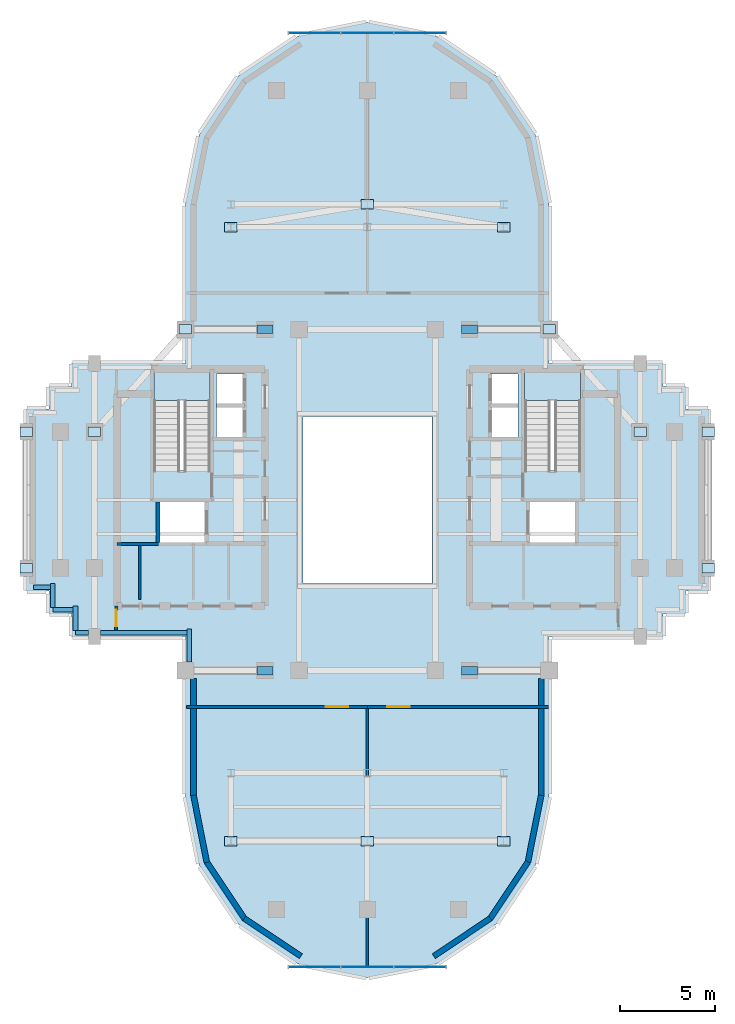
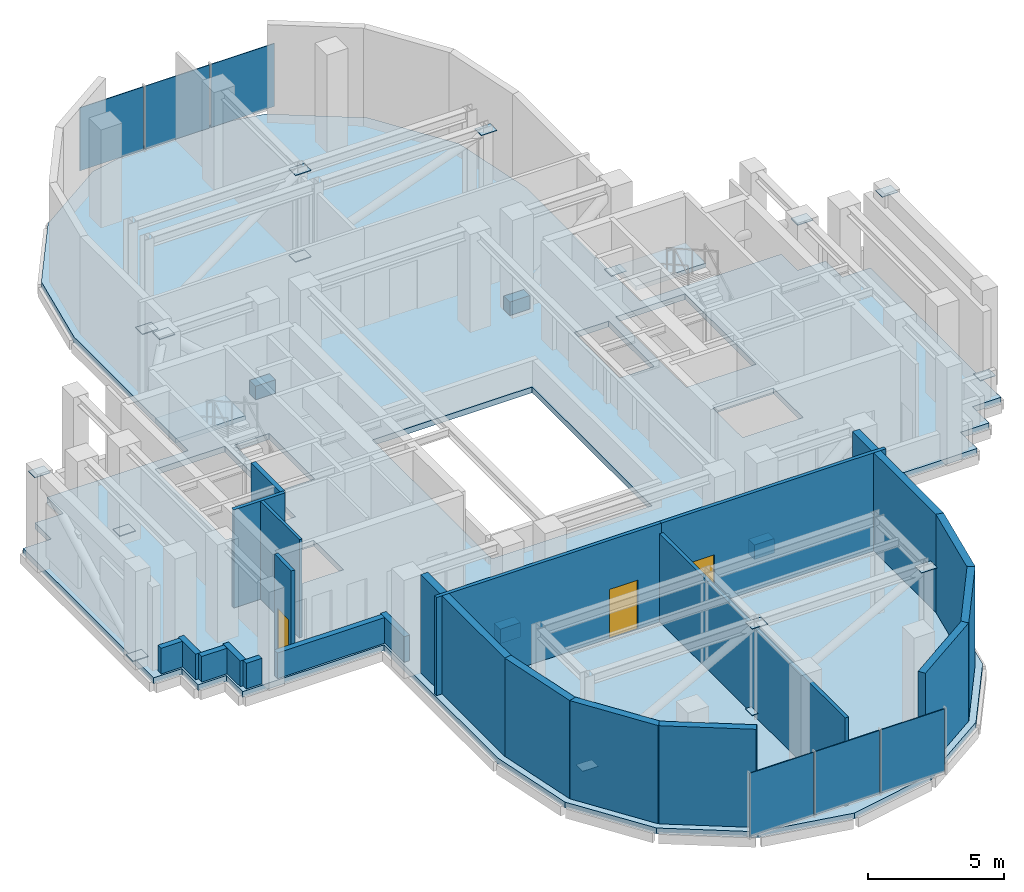
# One storey, part 5 of 11: 26 plates, 22 walls, 3 doors, 3 slabs, 3 openings, 4 elements without a shape of their own.
"""IFC4 building model written with IfcOpenShell, lengths in metres."""

import ifcopenshell
import ifcopenshell.guid

model = None  # the IFC model being written
_history = None  # IfcOwnerHistory: only IFC2X3 demands one
_inside = {}  # id of a spatial element -> (the spatial element, [elements in it])
_under = {}  # id of a project, library or spatial element -> (it, [spatial elements below it])
_declared = {}  # id of a project -> (the project, [libraries it declares])
_typed = {}  # id of a type object -> (the type object, [elements of that type])
_made_of = {}  # id of a material, layer set ... -> (it, [elements and type objects made of it])


def new_model(schema):
    """Start an empty IFC model of exactly this schema.

    Asked for "IFC4X3", IfcOpenShell would pick the latest addendum, in which some entities
    have other attributes; the version numbers below select the first issue.
    IFC2X3 requires an IfcOwnerHistory on every rooted entity: one is made here for all.
    """
    global model, _history
    if schema == "IFC4X3":
        model = ifcopenshell.file(schema_version=(4, 3, 0, 0))
    else:
        model = ifcopenshell.file(schema=schema)
    _inside.clear()
    _under.clear()
    _declared.clear()
    _typed.clear()
    _made_of.clear()
    _history = None
    if model.schema == "IFC2X3":
        org = make("IfcOrganization", Name="unknown")
        user = make(
            "IfcPersonAndOrganization",
            ThePerson=make("IfcPerson", FamilyName="unknown"),
            TheOrganization=org,
        )
        app = make(
            "IfcApplication",
            ApplicationDeveloper=org,
            Version="unknown",
            ApplicationFullName="unknown",
            ApplicationIdentifier="unknown",
        )
        _history = make(
            "IfcOwnerHistory",
            OwningUser=user,
            OwningApplication=app,
            ChangeAction="ADDED",
            CreationDate=0,
        )
    return model


def make(cls, **values):
    """One entity of the class cls with the attributes given. An attribute that is None is left unset."""
    return model.create_entity(
        cls, **{name: value for name, value in values.items() if value is not None}
    )


def rooted(cls, **values):
    """An entity with a GlobalId (a new one), such as an element, a storey or a relation."""
    return make(cls, GlobalId=ifcopenshell.guid.new(), OwnerHistory=_history, **values)


def si_unit(unit_type, name, prefix=None):
    """IfcSIUnit, for example si_unit("LENGTHUNIT", "METRE", prefix="MILLI")."""
    return make("IfcSIUnit", UnitType=unit_type, Prefix=prefix, Name=name)


def assignment(units):
    """IfcUnitAssignment: the units of a project."""
    return None if units is None else make("IfcUnitAssignment", Units=units)


def point(xyz):
    """IfcCartesianPoint."""
    return None if xyz is None else make("IfcCartesianPoint", Coordinates=xyz)


def direction(xyz):
    """IfcDirection."""
    return None if xyz is None else make("IfcDirection", DirectionRatios=xyz)


def frame(location, z_axis=None, x_axis=None):
    """IfcAxis2Placement3D, a coordinate frame: its origin and axes. An axis left out is left unset."""
    return make(
        "IfcAxis2Placement3D",
        Location=point(location),
        Axis=direction(z_axis),
        RefDirection=direction(x_axis),
    )


def frame_2d(location, x_axis=None):
    """IfcAxis2Placement2D, a coordinate frame in the plane: its origin and x axis."""
    return make(
        "IfcAxis2Placement2D", Location=point(location), RefDirection=direction(x_axis)
    )


def origin():
    """The frame at (0, 0, 0) with its axes left unset."""
    return frame((0.0, 0.0, 0.0))


def origin_2d():
    """The frame at (0, 0) in the plane with its x axis left unset."""
    return frame_2d((0.0, 0.0))


def place(relative_to, where):
    """IfcLocalPlacement: puts the frame where relative to a parent placement (None: the world)."""
    return make(
        "IfcLocalPlacement", PlacementRelTo=relative_to, RelativePlacement=where
    )


def context(
    kind, dimensions, precision=None, world=None, true_north=None, identifier=None
):
    """IfcGeometricRepresentationContext, for example the 3D "Model" context."""
    return make(
        "IfcGeometricRepresentationContext",
        ContextIdentifier=identifier,
        ContextType=kind,
        CoordinateSpaceDimension=dimensions,
        Precision=precision,
        WorldCoordinateSystem=world,
        TrueNorth=true_north,
    )


def subcontext(parent, identifier, kind, view, scale=None):
    """IfcGeometricRepresentationSubContext, for example "Body" below "Model"."""
    return make(
        "IfcGeometricRepresentationSubContext",
        ContextIdentifier=identifier,
        ContextType=kind,
        ParentContext=parent,
        TargetScale=scale,
        TargetView=view,
    )


def project(units=None, contexts=None):
    """IfcProject with its units and contexts."""
    return rooted(
        "IfcProject",
        Name="project",
        RepresentationContexts=contexts,
        UnitsInContext=assignment(units),
    )


def spatial(cls, under=None, at=None, **own):
    """A site, building, storey or space (cls), placed at a placement, below another one or the project."""
    s = rooted(cls, ObjectPlacement=at, **own)
    if under is not None:
        _under.setdefault(under.id(), (under, []))[1].append(s)
    return s


def polyline(points):
    """IfcPolyline through the points."""
    return make("IfcPolyline", Points=[point(p) for p in points])


def profile(cls, at=None, kind="AREA", **sizes):
    """A parametric profile (cls). Its sizes go by their IFC names, for example OverallWidth=200.0."""
    return make(cls, ProfileType=kind, Position=at, **sizes)


def rectangle(**sizes):
    """IfcRectangleProfileDef."""
    return profile("IfcRectangleProfileDef", **sizes)


def outline(outer, holes=None, kind="AREA"):
    """IfcArbitraryClosedProfileDef: a profile drawn as a closed curve; with holes, ...WithVoids."""
    if holes is None:
        return make("IfcArbitraryClosedProfileDef", ProfileType=kind, OuterCurve=outer)
    return make(
        "IfcArbitraryProfileDefWithVoids",
        ProfileType=kind,
        OuterCurve=outer,
        InnerCurves=holes,
    )


def extrude(swept, where, along, depth):
    """IfcExtrudedAreaSolid: the profile swept, set in the frame where, extruded along a direction by depth."""
    return make(
        "IfcExtrudedAreaSolid",
        SweptArea=swept,
        Position=where,
        ExtrudedDirection=direction(along),
        Depth=depth,
    )


def shape(context_of_items, identifier, shape_type, items):
    """IfcShapeRepresentation: the items that make up one representation, for example the "Body"."""
    return make(
        "IfcShapeRepresentation",
        ContextOfItems=context_of_items,
        RepresentationIdentifier=identifier,
        RepresentationType=shape_type,
        Items=items,
    )


def source(mapping_origin, context_of_items, identifier, shape_type, items):
    """IfcRepresentationMap: a shape defined once, which mapped items show again and again."""
    return make(
        "IfcRepresentationMap",
        MappingOrigin=mapping_origin,
        MappedRepresentation=shape(context_of_items, identifier, shape_type, items),
    )


def transform(
    local_origin,
    x_axis=None,
    y_axis=None,
    z_axis=None,
    scale=None,
    scale2=None,
    scale3=None,
    uniform=True,
):
    """IfcCartesianTransformationOperator3D, or its non-uniform kind. x_axis, y_axis, z_axis: its Axis1, 2, 3."""
    if uniform:
        return make(
            "IfcCartesianTransformationOperator3D",
            Axis1=direction(x_axis),
            Axis2=direction(y_axis),
            LocalOrigin=point(local_origin),
            Scale=scale,
            Axis3=direction(z_axis),
        )
    return make(
        "IfcCartesianTransformationOperator3DnonUniform",
        Axis1=direction(x_axis),
        Axis2=direction(y_axis),
        LocalOrigin=point(local_origin),
        Scale=scale,
        Axis3=direction(z_axis),
        Scale2=scale2,
        Scale3=scale3,
    )


def mapped(mapping_source, mapping_target):
    """IfcMappedItem: shows the shape of a source again, moved by a transform."""
    return make(
        "IfcMappedItem", MappingSource=mapping_source, MappingTarget=mapping_target
    )


def material(Name=None, Category=None):
    """IfcMaterial."""
    return make("IfcMaterial", Name=Name, Category=Category)


def layer(
    of_material, thickness, ventilated=None, Name=None, Category=None, Priority=None
):
    """IfcMaterialLayer: one layer of a wall or slab, of a material (None: an air gap)."""
    return make(
        "IfcMaterialLayer",
        Material=of_material,
        LayerThickness=thickness,
        IsVentilated=ventilated,
        Name=Name,
        Category=Category,
        Priority=Priority,
    )


def layer_set(layers, Name=None):
    """IfcMaterialLayerSet."""
    return make("IfcMaterialLayerSet", MaterialLayers=layers, LayerSetName=Name)


def made_of(thing, what):
    """Note that an element or type object is made of a material, layer set ...; save() writes the relation."""
    if what is not None:
        _made_of.setdefault(what.id(), (what, []))[1].append(thing)
    return thing


def type_object(cls, material=None, **own):
    """A type object (cls), such as IfcWallType, which elements share."""
    return made_of(rooted(cls, **own), material)


def element(
    cls,
    number,
    at=None,
    inside=None,
    cuts=None,
    type_object=None,
    material=None,
    context=None,
    identifier="Body",
    shape_type=None,
    held_by="IfcProductDefinitionShape",
    body=None,
    shapes=None,
    **own,
):
    """One element of the class cls, such as IfcWall. Its Tag is "e" and its number.

    at: its placement. inside: the storey or other place that contains it. cuts: it is an
    opening in that element (IfcRelVoidsElement). A single representation is given by context,
    identifier, shape_type and body (its items); several are given by shapes. held_by: the class
    of the entity that holds the representations. save() writes the other relations.
    """
    e = rooted(cls, Tag="e%d" % number, ObjectPlacement=at, **own)
    if body is not None:
        shapes = [shape(context, identifier, shape_type, body)]
    if shapes is not None:
        e.Representation = make(held_by, Representations=shapes)
    if inside is not None:
        _inside.setdefault(inside.id(), (inside, []))[1].append(e)
    if cuts is not None:
        rooted(
            "IfcRelVoidsElement", RelatingBuildingElement=cuts, RelatedOpeningElement=e
        )
    if type_object is not None:
        _typed.setdefault(type_object.id(), (type_object, []))[1].append(e)
    return made_of(e, material)


def fill(opening, filler):
    """IfcRelFillsElement: the door or window that sits in an opening."""
    return rooted(
        "IfcRelFillsElement",
        RelatingOpeningElement=opening,
        RelatedBuildingElement=filler,
    )


def aggregate(whole, parts):
    """IfcRelAggregates: a whole, such as a stair, and the parts it consists of."""
    return rooted("IfcRelAggregates", RelatingObject=whole, RelatedObjects=parts)


def save(model, path):
    """Write the relations noted so far, then the file.

    IfcRelAggregates (storeys below a building ...), IfcRelContainedInSpatialStructure (elements
    in a storey), IfcRelDefinesByType, IfcRelAssociatesMaterial and IfcRelDeclares: one each for
    every whole, place, type object, material and project.
    """
    for whole, parts in _under.values():
        aggregate(whole, parts)
    for where, things in _inside.values():
        rooted(
            "IfcRelContainedInSpatialStructure",
            RelatedElements=things,
            RelatingStructure=where,
        )
    for kind, things in _typed.values():
        rooted("IfcRelDefinesByType", RelatedObjects=things, RelatingType=kind)
    for what, things in _made_of.values():
        rooted("IfcRelAssociatesMaterial", RelatedObjects=things, RelatingMaterial=what)
    for by, libraries in _declared.values():
        rooted("IfcRelDeclares", RelatingContext=by, RelatedDefinitions=libraries)
    model.write(path)


model = new_model("IFC4")

# Units and contexts
model_context = context("Model", 3, precision=1e-05, world=origin(), true_north=direction((0.0, 1.0)))
body_context = subcontext(model_context, "Body", "Model", "MODEL_VIEW")
ifc_project = project(units=[si_unit("LENGTHUNIT", "METRE"), si_unit("AREAUNIT", "SQUARE_METRE"), si_unit("VOLUMEUNIT", "CUBIC_METRE"), si_unit("PLANEANGLEUNIT", "RADIAN"), si_unit("MASSUNIT", "GRAM", prefix="KILO")], contexts=[model_context])

# Site, building, storey
site_placement = place(None, origin())
site = spatial("IfcSite", under=ifc_project, at=site_placement, CompositionType="ELEMENT")
building_placement = place(site_placement, origin())
building = spatial("IfcBuilding", under=site, at=building_placement, Name="Keilestroom Media Tower", CompositionType="ELEMENT")
storey_placement = place(building_placement, frame((0.0, 0.0, 214.800048828125)))
storey = spatial("IfcBuildingStorey", under=building, at=storey_placement, Name="L59", CompositionType="ELEMENT", Elevation=214.800048828125)

# Slab
ifc_material_1 = material(Name="Concrete C50/60", Category="concrete")
ifc_layer_1 = layer(ifc_material_1, 0.260009765625)
ifc_layer_set_1 = layer_set([ifc_layer_1], Name="Concrete C50/60")
slab_type_1 = type_object("IfcSlabType", Name="Composite-Floor-Slab-260", PredefinedType="FLOOR", material=ifc_layer_set_1)
slab_1_placement = place(storey_placement, frame((0.0, 0.0, -0.260009765625)))
element("IfcSlab", 1, at=slab_1_placement, inside=storey, type_object=slab_type_1, Name="L59 Structural Composite Floor Slab", PredefinedType="FLOOR", context=body_context, shape_type="SweptSolid", body=[
    extrude(outline(polyline([(18.0, -4.800048828125), (18.0, 4.800048828125), (16.800048828125, 4.800048828125), (16.800048828125, 6.0), (15.60009765625, 6.0), (15.60009765625, 7.199951171875), (9.60009765625, 7.199951171875), (9.60009765625, 9.60009765625), (9.60009765625, 15.60009765625), (8.869140625, 19.273681640625), (6.7880859375, 22.38818359375), (3.673828125, 24.46923828125), (0.0, 25.199951171875), (-3.673828125, 24.46923828125), (-6.7880859375, 22.38818359375), (-8.869140625, 19.273681640625), (-9.60009765625, 15.60009765625), (-9.60009765625, 9.60009765625), (-9.60009765625, 7.199951171875), (-15.60009765625, 7.199951171875), (-15.60009765625, 6.0), (-16.800048828125, 6.0), (-16.800048828125, 4.800048828125), (-18.0, 4.800048828125), (-18.0, -4.800048828125), (-16.800048828125, -4.800048828125), (-16.800048828125, -6.0), (-15.60009765625, -6.0), (-15.60009765625, -7.199951171875), (-9.60009765625, -7.199951171875), (-9.60009765625, -9.60009765625), (-9.60009765625, -15.60009765625), (-8.869140625, -19.273681640625), (-6.7880859375, -22.38818359375), (-3.673828125, -24.46923828125), (0.0, -25.199951171875), (3.673828125, -24.46923828125), (6.7880859375, -22.38818359375), (8.869140625, -19.273681640625), (9.60009765625, -15.60009765625), (9.60009765625, -9.60009765625), (9.60009765625, -7.199951171875), (15.60009765625, -7.199951171875), (15.60009765625, -6.0), (16.800048828125, -6.0), (16.800048828125, -4.800048828125), (18.0, -4.800048828125)]), holes=[polyline([(-8.300048828125, 1.544921875), (-11.260009765625, 1.544921875), (-11.260009765625, 6.760009765625), (-8.300048828125, 6.760009765625), (-8.300048828125, 1.544921875)]), polyline([(-8.47998046875, -2.280029296875), (-11.050048828125, -2.280029296875), (-11.050048828125, -0.10009765625), (-8.47998046875, -0.10009765625), (-8.47998046875, -2.280029296875)]), polyline([(-6.47998046875, 3.300048828125), (-7.949951171875, 3.300048828125), (-7.949951171875, 6.64990234375), (-6.47998046875, 6.64990234375), (-6.47998046875, 3.300048828125)]), polyline([(3.39990234375, -4.39990234375), (-3.39990234375, -4.39990234375), (-3.39990234375, 4.39990234375), (3.39990234375, 4.39990234375), (3.39990234375, -4.39990234375)]), polyline([(7.949951171875, 3.300048828125), (6.47998046875, 3.300048828125), (6.47998046875, 6.64990234375), (7.949951171875, 6.64990234375), (7.949951171875, 3.300048828125)]), polyline([(11.260009765625, 1.544921875), (8.300048828125, 1.544921875), (8.300048828125, 6.760009765625), (11.260009765625, 6.760009765625), (11.260009765625, 1.544921875)]), polyline([(11.050048828125, -2.280029296875), (8.47998046875, -2.280029296875), (8.47998046875, -0.10009765625), (11.050048828125, -0.10009765625), (11.050048828125, -2.280029296875)])]), origin(), (0.0, 0.0, 1.0), 0.260009765625),
])

# Stair, slab
ifc_material_2 = material(Name="Concrete C45/55", Category="concrete")
stair_type = type_object("IfcStairType", Name="Enclosed-Dog-Leg-Stair-ST-CORE", PredefinedType="HALF_TURN_STAIR", material=ifc_material_2)
stair_1_placement = place(storey_placement, origin())
stair_1 = element("IfcStair", 2, at=stair_1_placement, inside=storey, type_object=stair_type, Name="L59 West Core Escape Stair ST-1", PredefinedType="HALF_TURN_STAIR")
ifc_layer_2 = layer(ifc_material_2, 0.199951171875)
ifc_layer_set_2 = layer_set([ifc_layer_2], Name="Concrete C45/55")
slab_type_2 = type_object("IfcSlabType", Name="Stair-Intermediate-And-Top-Landing-Slab-200", PredefinedType="LANDING", material=ifc_layer_set_2)
slab_2_placement = place(storey_placement, frame((0.0, 0.0, 2.099853515625)))
slab_2 = element("IfcSlab", 3, at=slab_2_placement, type_object=slab_type_2, Name="ST-1 landing 1", PredefinedType="LANDING", context=body_context, shape_type="SweptSolid", body=[
    extrude(outline(polyline([(-8.300048828125, 5.243896484375), (-8.300048828125, 6.760009765625), (-11.260009765625, 6.760009765625), (-11.260009765625, 5.243896484375), (-8.300048828125, 5.243896484375)])), origin(), (0.0, 0.0, 1.0), 0.2001953125),
])
aggregate(stair_1, [slab_2])

stair_2_placement = place(storey_placement, origin())
stair_2 = element("IfcStair", 4, at=stair_2_placement, inside=storey, type_object=stair_type, Name="L59 East Core Escape Stair ST-2", PredefinedType="HALF_TURN_STAIR")
slab_3_placement = place(storey_placement, frame((0.0, 0.0, 2.099853515625)))
slab_3 = element("IfcSlab", 5, at=slab_3_placement, type_object=slab_type_2, Name="ST-2 landing 1", PredefinedType="LANDING", context=body_context, shape_type="SweptSolid", body=[
    extrude(outline(polyline([(11.260009765625, 5.243896484375), (11.260009765625, 6.760009765625), (8.300048828125, 6.760009765625), (8.300048828125, 5.243896484375), (11.260009765625, 5.243896484375)])), origin(), (0.0, 0.0, 1.0), 0.2001953125),
])
aggregate(stair_2, [slab_3])

# Plates
ifc_material_3 = material(Name="Steel S460", Category="steel")
ifc_layer_3 = layer(ifc_material_3, 0.64990234375)
ifc_layer_set_3 = layer_set([ifc_layer_3], Name="Steel S460")
plate_type_1 = type_object("IfcPlateType", Name="Structural-Gusset-And-Cap-Plate-ND-07", PredefinedType="SHEET", material=ifc_layer_set_3)
shared_shape_1 = source(origin(), body_context, "Body", "SweptSolid", [
    extrude(rectangle(XDim=0.85009765625, YDim=0.449951171875, at=origin_2d()), origin(), (0.0, 0.0, 1.0), 0.64990234375),
])
for number, where, z_axis, x_axis, name in (
    (6, (-5.39990234375, -9.0, -0.044921875), (0.0, 0.0, 1.0), (1.0, 0.0, 0.0), "L59 Outrigger Gusset ND-07 WS"),
    (7, (-5.39990234375, 9.0, -0.044921875), (0.0, 0.0, 1.0), (1.0, 0.0, 0.0), "L59 Outrigger Gusset ND-07 WN"),
    (8, (5.39990234375, -9.0, -0.044921875), (0.0, 0.0, 1.0), (1.0, 0.0, 0.0), "L59 Outrigger Gusset ND-07 ES"),
    (9, (5.39990234375, 9.0, -0.044921875), (0.0, 0.0, 1.0), (1.0, 0.0, 0.0), "L59 Outrigger Gusset ND-07 EN"),
):
    element("IfcPlate", number, at=place(storey_placement, frame(where, z_axis=z_axis, x_axis=x_axis)), inside=storey, type_object=plate_type_1, Name=name, PredefinedType="SHEET", context=body_context, shape_type="MappedRepresentation", body=[
        mapped(shared_shape_1, transform((0.0, 0.0, 0.0), x_axis=(1.0, 0.0, 0.0), y_axis=(0.0, 1.0, 0.0), z_axis=(0.0, 0.0, 1.0), scale=1.0)),
    ])
ifc_layer_4 = layer(ifc_material_3, 0.02490234375)
ifc_layer_set_4 = layer_set([ifc_layer_4], Name="Steel S460")
plate_type_2 = type_object("IfcPlateType", Name="Structural-Gusset-And-Cap-Plate-ND-07B", PredefinedType="SHEET", material=ifc_layer_set_4)
shared_shape_2 = source(origin(), body_context, "Body", "SweptSolid", [
    extrude(rectangle(XDim=0.659912109375, YDim=0.5, at=origin_2d()), origin(), (0.0, 0.0, 1.0), 0.02490234375),
])
for number, where, z_axis, x_axis, name in (
    (10, (-18.0, -3.60009765625, 0.267578125), (0.0, 0.0, 1.0), (1.0, 0.0, 0.0), "L59 Belt Truss Lower End Cap ND-07B BW1"),
    (11, (-18.0, 3.60009765625, 4.1474609375), (0.0, 0.0, 1.0), (1.0, 0.0, 0.0), "L59 Belt Truss Upper End Cap ND-07B BW1"),
    (12, (18.0, -3.60009765625, 0.267578125), (0.0, 0.0, 1.0), (1.0, 0.0, 0.0), "L59 Belt Truss Lower End Cap ND-07B BE1"),
    (13, (18.0, 3.60009765625, 4.1474609375), (0.0, 0.0, 1.0), (1.0, 0.0, 0.0), "L59 Belt Truss Upper End Cap ND-07B BE1"),
    (14, (-7.199951171875, 14.39990234375, 0.267578125), (0.0, 0.0, 1.0), (1.0, 0.0, 0.0), "L59 Belt Truss Lower End Cap ND-07B BN1"),
    (15, (0.0, 15.60009765625, 4.1474609375), (0.0, 0.0, 1.0), (1.0, 0.0, 0.0), "L59 Belt Truss Upper End Cap ND-07B BN1"),
    (16, (0.0, 15.60009765625, 0.267578125), (0.0, 0.0, 1.0), (1.0, 0.0, 0.0), "L59 Belt Truss Lower End Cap ND-07B BN2"),
    (17, (7.199951171875, 14.39990234375, 4.1474609375), (0.0, 0.0, 1.0), (1.0, 0.0, 0.0), "L59 Belt Truss Upper End Cap ND-07B BN2"),
    (18, (-7.199951171875, -18.0, 0.267578125), (0.0, 0.0, 1.0), (1.0, 0.0, 0.0), "L59 Belt Truss Lower End Cap ND-07B BS1"),
    (19, (0.0, -18.0, 4.1474609375), (0.0, 0.0, 1.0), (1.0, 0.0, 0.0), "L59 Belt Truss Upper End Cap ND-07B BS1"),
    (20, (0.0, -18.0, 0.267578125), (0.0, 0.0, 1.0), (1.0, 0.0, 0.0), "L59 Belt Truss Lower End Cap ND-07B BS2"),
    (21, (7.199951171875, -18.0, 4.1474609375), (0.0, 0.0, 1.0), (1.0, 0.0, 0.0), "L59 Belt Truss Upper End Cap ND-07B BS2"),
    (22, (-14.39990234375, 3.60009765625, 0.267578125), (0.0, 0.0, 1.0), (1.0, 0.0, 0.0), "L59 Belt Truss Lower End Cap ND-07B BWN"),
    (23, (-9.60009765625, 9.0, 4.1474609375), (0.0, 0.0, 1.0), (1.0, 0.0, 0.0), "L59 Belt Truss Upper End Cap ND-07B BWN"),
    (24, (9.60009765625, 9.0, 0.267578125), (0.0, 0.0, 1.0), (1.0, 0.0, 0.0), "L59 Belt Truss Lower End Cap ND-07B BEN"),
    (25, (14.39990234375, 3.60009765625, 4.1474609375), (0.0, 0.0, 1.0), (1.0, 0.0, 0.0), "L59 Belt Truss Upper End Cap ND-07B BEN"),
):
    element("IfcPlate", number, at=place(storey_placement, frame(where, z_axis=z_axis, x_axis=x_axis)), inside=storey, type_object=plate_type_2, Name=name, PredefinedType="SHEET", context=body_context, shape_type="MappedRepresentation", body=[
        mapped(shared_shape_2, transform((0.0, 0.0, 0.0), x_axis=(1.0, 0.0, 0.0), y_axis=(0.0, 1.0, 0.0), z_axis=(0.0, 0.0, 1.0), scale=1.0)),
    ])

# Curtain wall, plates
ifc_material_4 = material(Name="Anodised Aluminium Alloy", Category="aluminium")
curtain_wall_type = type_object("IfcCurtainWallType", Name="Unitised-Curtain-Wall-CW-6", PredefinedType="NOTDEFINED", material=ifc_material_4)
curtain_wall_1_placement = place(storey_placement, origin())
curtain_wall_1 = element("IfcCurtainWall", 26, at=curtain_wall_1_placement, inside=storey, type_object=curtain_wall_type, Name="L59 Curtain Wall CW-6 CW-L59-N", PredefinedType="NOTDEFINED")
ifc_material_5 = material(Name="Curved-Facet Triple Glazed Unit", Category="glass")
ifc_layer_5 = layer(ifc_material_5, 0.033935546875)
ifc_layer_set_5 = layer_set([ifc_layer_5], Name="Curved-Facet Triple Glazed Unit")
plate_type_3 = type_object("IfcPlateType", Name="Insulated-Curtain-Wall-Glazing-Panel-CW-6", PredefinedType="CURTAIN_PANEL", material=ifc_layer_set_5)
shared_shape_3 = source(origin(), body_context, "Body", "SweptSolid", [
    extrude(rectangle(XDim=2.71044921875, YDim=0.033935546875, at=origin_2d()), origin(), (0.0, 0.0, 1.0), 2.833984375),
])
plate_1_placement = place(storey_placement, frame((-2.78369140625, 24.64990234375, 0.072998046875), z_axis=(0.0, 0.0, 1.0), x_axis=(1.0, 0.0, 0.0)))
plate_1 = element("IfcPlate", 27, at=plate_1_placement, type_object=plate_type_3, Name="CW-6 Unitised Glazing 00", PredefinedType="CURTAIN_PANEL", context=body_context, shape_type="MappedRepresentation", body=[
    mapped(shared_shape_3, transform((0.0, 0.0, 0.0), x_axis=(1.0, 0.0, 0.0), y_axis=(0.0, 1.0, 0.0), z_axis=(0.0, 0.0, 1.0), scale=1.0)),
])
plate_2_placement = place(storey_placement, frame((2.78369140625, 24.64990234375, 0.072998046875), z_axis=(0.0, 0.0, 1.0), x_axis=(1.0, 0.0, 0.0)))
plate_2 = element("IfcPlate", 28, at=plate_2_placement, type_object=plate_type_3, Name="CW-6 Unitised Glazing 02", PredefinedType="CURTAIN_PANEL", context=body_context, shape_type="MappedRepresentation", body=[
    mapped(shared_shape_3, transform((0.0, 0.0, 0.0), x_axis=(1.0, 0.0, 0.0), y_axis=(0.0, 1.0, 0.0), z_axis=(0.0, 0.0, 1.0), scale=1.0)),
])

curtain_wall_2_placement = place(storey_placement, origin())
curtain_wall_2 = element("IfcCurtainWall", 29, at=curtain_wall_2_placement, inside=storey, type_object=curtain_wall_type, Name="L59 Curtain Wall CW-6 CW-L59-S", PredefinedType="NOTDEFINED")
plate_3_placement = place(storey_placement, frame((-2.78369140625, -24.64990234375, 0.072998046875), z_axis=(0.0, 0.0, 1.0), x_axis=(1.0, 0.0, 0.0)))
plate_3 = element("IfcPlate", 30, at=plate_3_placement, type_object=plate_type_3, Name="CW-6 Unitised Glazing 00", PredefinedType="CURTAIN_PANEL", context=body_context, shape_type="MappedRepresentation", body=[
    mapped(shared_shape_3, transform((0.0, 0.0, 0.0), x_axis=(1.0, 0.0, 0.0), y_axis=(0.0, 1.0, 0.0), z_axis=(0.0, 0.0, 1.0), scale=1.0)),
])
plate_4_placement = place(storey_placement, frame((2.78369140625, -24.64990234375, 0.072998046875), z_axis=(0.0, 0.0, 1.0), x_axis=(1.0, 0.0, 0.0)))
plate_4 = element("IfcPlate", 31, at=plate_4_placement, type_object=plate_type_3, Name="CW-6 Unitised Glazing 02", PredefinedType="CURTAIN_PANEL", context=body_context, shape_type="MappedRepresentation", body=[
    mapped(shared_shape_3, transform((0.0, 0.0, 0.0), x_axis=(1.0, 0.0, 0.0), y_axis=(0.0, 1.0, 0.0), z_axis=(0.0, 0.0, 1.0), scale=1.0)),
])

# Plate
shared_shape_4 = source(origin(), body_context, "Body", "SweptSolid", [
    extrude(rectangle(XDim=2.742919921875, YDim=0.033935546875, at=origin_2d()), origin(), (0.0, 0.0, 1.0), 2.833984375),
])
plate_5_placement = place(storey_placement, frame((0.0, 24.64990234375, 0.072998046875), z_axis=(0.0, 0.0, 1.0), x_axis=(1.0, 0.0, 0.0)))
plate_5 = element("IfcPlate", 32, at=plate_5_placement, type_object=plate_type_3, Name="CW-6 Unitised Glazing 01", PredefinedType="CURTAIN_PANEL", context=body_context, shape_type="MappedRepresentation", body=[
    mapped(shared_shape_4, transform((0.0, 0.0, 0.0), x_axis=(1.0, 0.0, 0.0), y_axis=(0.0, 1.0, 0.0), z_axis=(0.0, 0.0, 1.0), scale=1.0)),
])

aggregate(curtain_wall_1, [plate_1, plate_5, plate_2])

plate_6_placement = place(storey_placement, frame((0.0, -24.64990234375, 0.072998046875), z_axis=(0.0, 0.0, 1.0), x_axis=(1.0, 0.0, 0.0)))
plate_6 = element("IfcPlate", 33, at=plate_6_placement, type_object=plate_type_3, Name="CW-6 Unitised Glazing 01", PredefinedType="CURTAIN_PANEL", context=body_context, shape_type="MappedRepresentation", body=[
    mapped(shared_shape_4, transform((0.0, 0.0, 0.0), x_axis=(1.0, 0.0, 0.0), y_axis=(0.0, 1.0, 0.0), z_axis=(0.0, 0.0, 1.0), scale=1.0)),
])

aggregate(curtain_wall_2, [plate_3, plate_6, plate_4])

# Walls
ifc_material_6 = material(Name="Precast concrete C40/50", Category="concrete")
ifc_layer_6 = layer(ifc_material_6, 0.300048828125)
ifc_layer_set_6 = layer_set([ifc_layer_6], Name="Precast concrete C40/50")
wall_type_1 = type_object("IfcWallType", Name="Exterior-Masonry-Spandrel-Wall-300", PredefinedType="SOLIDWALL", material=ifc_layer_set_6)
wall_1_placement = place(storey_placement, frame((-9.171875, -9.41796875, 0.0), z_axis=(0.0, 0.0, 1.0), x_axis=(0.0, -1.0, 0.0)))
element("IfcWall", 34, at=wall_1_placement, inside=storey, type_object=wall_type_1, Name="L59 Plant Lobe Masonry Wall 09", PredefinedType="SOLIDWALL", context=body_context, shape_type="SweptSolid", body=[
    extrude(rectangle(XDim=6.2119140625, YDim=0.300048828125, at=frame_2d((3.10595703125, 0.0))), origin(), (0.0, 0.0, 1.0), 4.409912109375),
])
for number, where, z_axis, x_axis, name in (
    (35, (-9.1748046875, -15.585205078125, 0.0), (0.0, 0.0, 1.0), (0.195114232679, -0.980780523974, 0.0), "L59 Plant Lobe Masonry Wall 10"),
    (36, (-8.48193359375, -19.097412109375, 0.0), (0.0, 0.0, 1.0), (0.555574187116, -0.831466970246, 0.0), "L59 Plant Lobe Masonry Wall 11"),
):
    element("IfcWall", number, at=place(storey_placement, frame(where, z_axis=z_axis, x_axis=x_axis)), inside=storey, type_object=wall_type_1, Name=name, PredefinedType="SOLIDWALL", context=body_context, shape_type="SweptSolid", body=[
        extrude(rectangle(XDim=3.608642578125, YDim=0.300048828125, at=frame_2d((1.80419921875, 0.0))), origin(), (0.0, 0.0, 1.0), 4.409912109375),
    ])
for number, where, z_axis, x_axis, name in (
    (37, (-6.497802734375, -22.0771484375, 0.0), (0.0, 0.0, 1.0), (0.8314749531, -0.555562239868, 0.0), "L59 Plant Lobe Masonry Wall 12"),
    (38, (3.510009765625, -24.073486328125, 0.0), (0.0, 0.0, 1.0), (0.8314749531, 0.555562239868, 0.0), "L59 Plant Lobe Masonry Wall 13"),
):
    element("IfcWall", number, at=place(storey_placement, frame(where, z_axis=z_axis, x_axis=x_axis)), inside=storey, type_object=wall_type_1, Name=name, PredefinedType="SOLIDWALL", context=body_context, shape_type="SweptSolid", body=[
        extrude(rectangle(XDim=3.59326171875, YDim=0.300048828125, at=frame_2d((1.796630859375, 0.0))), origin(), (0.0, 0.0, 1.0), 4.409912109375),
    ])
for number, where, z_axis, x_axis, name in (
    (39, (6.47705078125, -22.097900390625, 0.0), (0.0, 0.0, 1.0), (0.555574187116, 0.831466970246, 0.0), "L59 Plant Lobe Masonry Wall 14"),
    (40, (8.470703125, -19.12451171875, 0.0), (0.0, 0.0, 1.0), (0.195114232679, 0.980780523974, 0.0), "L59 Plant Lobe Masonry Wall 15"),
):
    element("IfcWall", number, at=place(storey_placement, frame(where, z_axis=z_axis, x_axis=x_axis)), inside=storey, type_object=wall_type_1, Name=name, PredefinedType="SOLIDWALL", context=body_context, shape_type="SweptSolid", body=[
        extrude(rectangle(XDim=3.608642578125, YDim=0.300048828125, at=frame_2d((1.80419921875, 0.0))), origin(), (0.0, 0.0, 1.0), 4.409912109375),
    ])
wall_2_placement = place(storey_placement, frame((9.171875, -15.6298828125, 0.0), z_axis=(0.0, 0.0, 1.0), x_axis=(0.0, 1.0, 0.0)))
element("IfcWall", 41, at=wall_2_placement, inside=storey, type_object=wall_type_1, Name="L59 Plant Lobe Masonry Wall 16", PredefinedType="SOLIDWALL", context=body_context, shape_type="SweptSolid", body=[
    extrude(rectangle(XDim=6.2119140625, YDim=0.300048828125, at=frame_2d((3.10595703125, 0.0))), origin(), (0.0, 0.0, 1.0), 4.409912109375),
])
ifc_material_7 = material(Name="Gypsum Plasterboard & Steel Stud", Category="steel")
ifc_layer_7 = layer(ifc_material_7, 0.1201171875)
ifc_layer_set_7 = layer_set([ifc_layer_7], Name="Gypsum Plasterboard & Steel Stud")
wall_type_2 = type_object("IfcWallType", Name="Interior-Partition-Wall-120", PredefinedType="PARTITIONING", material=ifc_layer_set_7)
wall_3_placement = place(storey_placement, frame((-12.010009765625, -5.260009765625, 0.0), z_axis=(0.0, 0.0, 1.0), x_axis=(0.0, 1.0, 0.0)))
element("IfcWall", 42, at=wall_3_placement, inside=storey, type_object=wall_type_2, Name="L59 Interior Wall WP-L59-RECLW-M", PredefinedType="PARTITIONING", context=body_context, shape_type="SweptSolid", body=[
    extrude(rectangle(XDim=2.93994140625, YDim=0.1201171875, at=frame_2d((1.469970703125, 0.0))), origin(), (0.0, 0.0, 1.0), 4.409912109375),
])
ifc_layer_8 = layer(ifc_material_7, 0.14990234375)
ifc_layer_set_8 = layer_set([ifc_layer_8], Name="Gypsum Plasterboard & Steel Stud")
wall_type_3 = type_object("IfcWallType", Name="Interior-Partition-Wall-150", PredefinedType="PARTITIONING", material=ifc_layer_set_8)
wall_4_placement = place(storey_placement, frame((-13.199951171875, -2.320068359375, 0.0), z_axis=(0.0, 0.0, 1.0), x_axis=(1.0, 0.0, 0.0)))
element("IfcWall", 43, at=wall_4_placement, inside=storey, type_object=wall_type_3, Name="L59 Interior Wall WP-L59-RECLW-N", PredefinedType="PARTITIONING", context=body_context, shape_type="SweptSolid", body=[
    extrude(rectangle(XDim=2.179931640625, YDim=0.14990234375, at=frame_2d((1.08984375, 0.0))), origin(), (0.0, 0.0, 1.0), 4.409912109375),
])

# Wall, opening, door
wall_5_placement = place(storey_placement, frame((-13.260009765625, -6.85009765625, 0.0), z_axis=(0.0, 0.0, 1.0), x_axis=(0.016013571389, 0.999871774545, 0.0)))
wall_5 = element("IfcWall", 44, at=wall_5_placement, inside=storey, type_object=wall_type_3, Name="L59 Interior Wall WP-L59-REF-WE", PredefinedType="PARTITIONING", context=body_context, shape_type="SweptSolid", body=[
    extrude(rectangle(XDim=1.250244140625, YDim=0.14990234375, at=frame_2d((0.625, 0.0))), origin(), (0.0, 0.0, 1.0), 4.409912109375),
])
opening_1_placement = place(wall_5_placement, frame((0.199951171875, 0.0, 0.0)))
opening_1 = element("IfcOpeningElement", 45, at=opening_1_placement, cuts=wall_5, Name="Opening DI-05", PredefinedType="OPENING", context=body_context, shape_type="SweptSolid", body=[
    extrude(rectangle(XDim=0.85009765625, YDim=2.10009765625, at=frame_2d((0.425048828125, 1.050048828125))), frame((0.0, 0.0849609375, 0.0), z_axis=(0.0, -1.0, 0.0), x_axis=(1.0, 0.0, 0.0)), (0.0, 0.0, 1.0), 0.169921875),
])
ifc_material_8 = material(Name="Moisture-Resistant Oak Leaf", Category="wood")
door_type_1 = type_object("IfcDoorType", Name="Interior-En-Suite-And-Cupboard-Door-DI-05", OperationType="NOTDEFINED", PredefinedType="DOOR", material=ifc_material_8)
shared_shape_5 = source(origin(), body_context, "Body", "SweptSolid", [
    extrude(rectangle(XDim=0.85009765625, YDim=2.10009765625, at=frame_2d((0.425048828125, 1.050048828125))), frame((0.0, 0.02490234375, 0.0), z_axis=(0.0, -1.0, 0.0), x_axis=(1.0, 0.0, 0.0)), (0.0, 0.0, 1.0), 0.050048828125),
])
door_1_placement = place(opening_1_placement, origin())
door_1 = element("IfcDoor", 46, at=door_1_placement, inside=storey, type_object=door_type_1, Name="L59 Interior Door DI-L59-DRF-WS", OperationType="SINGLE_SWING_RIGHT", OverallHeight=2.10009765625, OverallWidth=0.85009765625, PredefinedType="DOOR", context=body_context, shape_type="MappedRepresentation", body=[
    mapped(shared_shape_5, transform((0.0, 0.0, 0.0), x_axis=(1.0, 0.0, 0.0), y_axis=(0.0, 1.0, 0.0), z_axis=(0.0, 0.0, 1.0), scale=1.0)),
])
fill(opening_1, door_1)

wall_6_placement = place(storey_placement, frame((-9.550048828125, -10.919921875, 0.0), z_axis=(0.0, 0.0, 1.0), x_axis=(1.0, 0.0, 0.0)))
wall_6 = element("IfcWall", 47, at=wall_6_placement, inside=storey, type_object=wall_type_3, Name="L59 Interior Wall WP-L59-PL-PUMPS-N", PredefinedType="PARTITIONING", context=body_context, shape_type="SweptSolid", body=[
    extrude(rectangle(XDim=9.550048828125, YDim=0.14990234375, at=frame_2d((4.77490234375, 0.0))), origin(), (0.0, 0.0, 1.0), 4.409912109375),
])
opening_2_placement = place(wall_6_placement, frame((7.35009765625, 0.0, 0.0)))
opening_2 = element("IfcOpeningElement", 48, at=opening_2_placement, cuts=wall_6, Name="Opening DI-02", PredefinedType="OPENING", context=body_context, shape_type="SweptSolid", body=[
    extrude(rectangle(XDim=1.199951171875, YDim=2.199951171875, at=frame_2d((0.60009765625, 1.10009765625))), frame((0.0, 0.0849609375, 0.0), z_axis=(0.0, -1.0, 0.0), x_axis=(1.0, 0.0, 0.0)), (0.0, 0.0, 1.0), 0.169921875),
])
ifc_material_9 = material(Name="Powder-Coated Steel Fire Leaf", Category="steel")
door_type_2 = type_object("IfcDoorType", Name="Interior-Compartment-Fire-Door-DI-02", OperationType="NOTDEFINED", PredefinedType="DOOR", material=ifc_material_9)
shared_shape_6 = source(origin(), body_context, "Body", "SweptSolid", [
    extrude(rectangle(XDim=1.199951171875, YDim=2.199951171875, at=frame_2d((0.60009765625, 1.10009765625))), frame((0.0, 0.02490234375, 0.0), z_axis=(0.0, -1.0, 0.0), x_axis=(1.0, 0.0, 0.0)), (0.0, 0.0, 1.0), 0.050048828125),
])
door_2_placement = place(opening_2_placement, origin())
door_2 = element("IfcDoor", 49, at=door_2_placement, inside=storey, type_object=door_type_2, Name="L59 Interior Door DI-L59-PL-PUMPS-D", OperationType="SINGLE_SWING_RIGHT", OverallHeight=2.199951171875, OverallWidth=1.199951171875, PredefinedType="DOOR", context=body_context, shape_type="MappedRepresentation", body=[
    mapped(shared_shape_6, transform((0.0, 0.0, 0.0), x_axis=(1.0, 0.0, 0.0), y_axis=(0.0, 1.0, 0.0), z_axis=(0.0, 0.0, 1.0), scale=1.0)),
])
fill(opening_2, door_2)

# Wall
wall_7_placement = place(storey_placement, frame((0.0, -24.64990234375, 0.0), z_axis=(0.0, 0.0, 1.0), x_axis=(0.0, 1.0, 0.0)))
element("IfcWall", 50, at=wall_7_placement, inside=storey, type_object=wall_type_3, Name="L59 Interior Wall WP-L59-PL-PUMPS-M", PredefinedType="PARTITIONING", context=body_context, shape_type="SweptSolid", body=[
    extrude(rectangle(XDim=13.72998046875, YDim=0.14990234375, at=frame_2d((6.864990234375, 0.0))), origin(), (0.0, 0.0, 1.0), 3.9599609375),
])

# Wall, opening, door
wall_8_placement = place(storey_placement, frame((0.0, -10.919921875, 0.0), z_axis=(0.0, 0.0, 1.0), x_axis=(1.0, 0.0, 0.0)))
wall_8 = element("IfcWall", 51, at=wall_8_placement, inside=storey, type_object=wall_type_3, Name="L59 Interior Wall WP-L59-PL-BMSS-N", PredefinedType="PARTITIONING", context=body_context, shape_type="SweptSolid", body=[
    extrude(rectangle(XDim=9.550048828125, YDim=0.14990234375, at=frame_2d((4.77490234375, 0.0))), origin(), (0.0, 0.0, 1.0), 4.409912109375),
])
opening_3_placement = place(wall_8_placement, frame((1.050048828125, 0.0, 0.0)))
opening_3 = element("IfcOpeningElement", 52, at=opening_3_placement, cuts=wall_8, Name="Opening DI-02", PredefinedType="OPENING", context=body_context, shape_type="SweptSolid", body=[
    extrude(rectangle(XDim=1.199951171875, YDim=2.199951171875, at=frame_2d((0.60009765625, 1.10009765625))), frame((0.0, 0.0849609375, 0.0), z_axis=(0.0, -1.0, 0.0), x_axis=(1.0, 0.0, 0.0)), (0.0, 0.0, 1.0), 0.169921875),
])
door_3_placement = place(opening_3_placement, origin())
door_3 = element("IfcDoor", 53, at=door_3_placement, inside=storey, type_object=door_type_2, Name="L59 Interior Door DI-L59-PL-BMSS-D", OperationType="SINGLE_SWING_LEFT", OverallHeight=2.199951171875, OverallWidth=1.199951171875, PredefinedType="DOOR", context=body_context, shape_type="MappedRepresentation", body=[
    mapped(shared_shape_6, transform((0.0, 0.0, 0.0), x_axis=(1.0, 0.0, 0.0), y_axis=(0.0, 1.0, 0.0), z_axis=(0.0, 0.0, 1.0), scale=1.0)),
])
fill(opening_3, door_3)

# Walls
ifc_layer_9 = layer(ifc_material_1, 0.199951171875)
ifc_layer_set_9 = layer_set([ifc_layer_9], Name="Concrete C50/60")
wall_type_4 = type_object("IfcWallType", Name="Reinforced-Concrete-Shaft-Wall-200", PredefinedType="SOLIDWALL", material=ifc_layer_set_9)
wall_9_placement = place(storey_placement, frame((-11.050048828125, -2.280029296875, 0.0), z_axis=(0.0, 0.0, 1.0), x_axis=(0.0, 1.0, 0.0)))
element("IfcWall", 54, at=wall_9_placement, inside=storey, type_object=wall_type_4, Name="L59 Core Shear Wall WL-L59-LSH-FFL-1-W", PredefinedType="SOLIDWALL", context=body_context, shape_type="SweptSolid", body=[
    extrude(rectangle(XDim=2.179931640625, YDim=0.199951171875, at=frame_2d((1.08984375, 0.0))), origin(), (0.0, 0.0, 1.0), 4.409912109375),
])
ifc_layer_10 = layer(ifc_material_6, 0.239990234375)
ifc_layer_set_10 = layer_set([ifc_layer_10], Name="Precast concrete C40/50")
wall_type_5 = type_object("IfcWallType", Name="Roof-And-Terrace-Parapet-Wall-240", PredefinedType="PARAPET", material=ifc_layer_set_10)
wall_10_placement = place(storey_placement, frame((-9.39990234375, -8.547119140625, 0.0), z_axis=(0.0, 0.0, 1.0), x_axis=(0.0, 1.0, 0.0)))
element("IfcWall", 55, at=wall_10_placement, inside=storey, type_object=wall_type_5, Name="L59 Perimeter Edge Parapet Wall 08", PredefinedType="PARAPET", context=body_context, shape_type="SweptSolid", body=[
    extrude(rectangle(XDim=1.7470703125, YDim=0.239990234375, at=frame_2d((0.87353515625, 0.0))), origin(), (0.0, 0.0, 1.0), 1.14990234375),
])
wall_11_placement = place(storey_placement, frame((-9.52294921875, -7.0, 0.0), z_axis=(0.0, 0.0, 1.0), x_axis=(-1.0, 0.0, 0.0)))
element("IfcWall", 56, at=wall_11_placement, inside=storey, type_object=wall_type_5, Name="L59 Perimeter Edge Parapet Wall 09", PredefinedType="PARAPET", context=body_context, shape_type="SweptSolid", body=[
    extrude(rectangle(XDim=4.549072265625, YDim=0.239990234375, at=frame_2d((2.2744140625, 0.0))), origin(), (0.0, 0.0, 1.0), 1.14990234375),
])
wall_12_placement = place(storey_placement, frame((-14.72802734375, -7.0, 0.0), z_axis=(0.0, 0.0, 1.0), x_axis=(-1.0, 0.0, 0.0)))
element("IfcWall", 57, at=wall_12_placement, inside=storey, type_object=wall_type_5, Name="L59 Perimeter Edge Parapet Wall 10", PredefinedType="PARAPET", context=body_context, shape_type="SweptSolid", body=[
    extrude(rectangle(XDim=0.671875, YDim=0.239990234375, at=frame_2d((0.3359375, 0.0))), origin(), (0.0, 0.0, 1.0), 1.14990234375),
])
wall_13_placement = place(storey_placement, frame((-15.39990234375, -6.876953125, 0.0), z_axis=(0.0, 0.0, 1.0), x_axis=(0.0, 1.0, 0.0)))
element("IfcWall", 58, at=wall_13_placement, inside=storey, type_object=wall_type_5, Name="L59 Perimeter Edge Parapet Wall 11", PredefinedType="PARAPET", context=body_context, shape_type="SweptSolid", body=[
    extrude(rectangle(XDim=1.27685546875, YDim=0.239990234375, at=frame_2d((0.638427734375, 0.0))), origin(), (0.0, 0.0, 1.0), 1.14990234375),
])
wall_14_placement = place(storey_placement, frame((-15.52294921875, -5.800048828125, 0.0), z_axis=(0.0, 0.0, 1.0), x_axis=(-1.0, 0.0, 0.0)))
element("IfcWall", 59, at=wall_14_placement, inside=storey, type_object=wall_type_5, Name="L59 Perimeter Edge Parapet Wall 12", PredefinedType="PARAPET", context=body_context, shape_type="SweptSolid", body=[
    extrude(rectangle(XDim=1.0771484375, YDim=0.239990234375, at=frame_2d((0.53857421875, 0.0))), origin(), (0.0, 0.0, 1.0), 1.14990234375),
])
wall_15_placement = place(storey_placement, frame((-16.60009765625, -5.677001953125, 0.0), z_axis=(0.0, 0.0, 1.0), x_axis=(0.0, 1.0, 0.0)))
element("IfcWall", 60, at=wall_15_placement, inside=storey, type_object=wall_type_5, Name="L59 Perimeter Edge Parapet Wall 13", PredefinedType="PARAPET", context=body_context, shape_type="SweptSolid", body=[
    extrude(rectangle(XDim=1.277099609375, YDim=0.239990234375, at=frame_2d((0.638671875, 0.0))), origin(), (0.0, 0.0, 1.0), 1.14990234375),
])
wall_16_placement = place(storey_placement, frame((-16.722900390625, -4.60009765625, 0.0), z_axis=(0.0, 0.0, 1.0), x_axis=(-1.0, 0.0, 0.0)))
element("IfcWall", 61, at=wall_16_placement, inside=storey, type_object=wall_type_5, Name="L59 Perimeter Edge Parapet Wall 14", PredefinedType="PARAPET", context=body_context, shape_type="SweptSolid", body=[
    extrude(rectangle(XDim=0.906005859375, YDim=0.239990234375, at=frame_2d((0.453125, 0.0))), origin(), (0.0, 0.0, 1.0), 1.14990234375),
])

save(model, "model.ifc")
